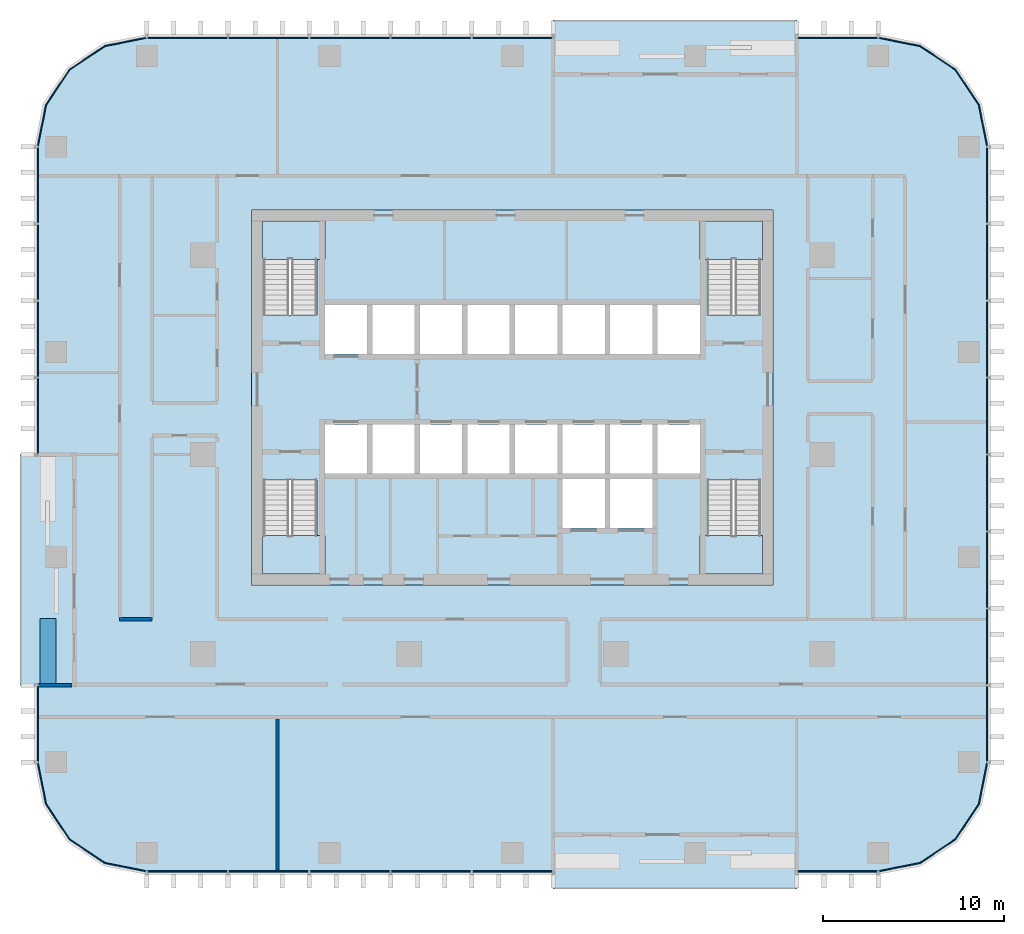
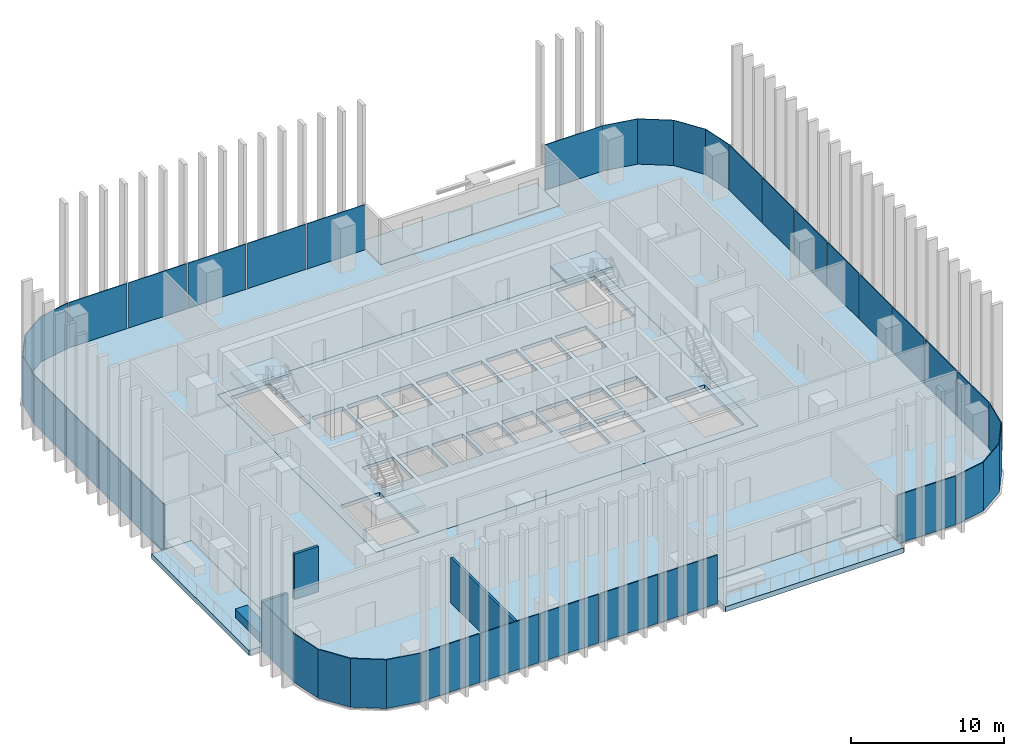
# One storey, part 6 of 16: 29 plates, 9 slabs, 4 walls, 15 elements without a shape of their own.
"""IFC4 building model written with IfcOpenShell, lengths in metres."""

from ifc_helpers import new_model, si_unit, direction, frame, frame_2d, origin, origin_2d, place, context, subcontext, project, spatial, polyline, rectangle, outline, extrude, material, layer, layer_set, type_object, element, aggregate, save


model = new_model("IFC4")

# Units and contexts
model_context = context("Model", 3, precision=1e-05, world=origin(), true_north=direction((0.0, 1.0)))
body_context = subcontext(model_context, "Body", "Model", "MODEL_VIEW")
ifc_project = project(units=[si_unit("LENGTHUNIT", "METRE"), si_unit("AREAUNIT", "SQUARE_METRE"), si_unit("VOLUMEUNIT", "CUBIC_METRE"), si_unit("PLANEANGLEUNIT", "RADIAN"), si_unit("MASSUNIT", "GRAM", prefix="KILO")], contexts=[model_context])

# Site, building, storey
site_placement = place(None, origin())
site = spatial("IfcSite", under=ifc_project, at=site_placement, CompositionType="ELEMENT")
building_placement = place(site_placement, origin())
building = spatial("IfcBuilding", under=site, at=building_placement, Name="Mopane Tessera Tower", CompositionType="ELEMENT")
storey_placement = place(building_placement, frame((0.0, 0.0, 193.0)))
storey = spatial("IfcBuildingStorey", under=building, at=storey_placement, Name="L40", CompositionType="ELEMENT", Elevation=193.0)

# Slab
ifc_material_1 = material(Name="Concrete C40/50", Category="concrete")
ifc_layer_1 = layer(ifc_material_1, 0.300048828125)
ifc_layer_set_1 = layer_set([ifc_layer_1], Name="Concrete C40/50")
slab_type_1 = type_object("IfcSlabType", Name="Core floor slab 300 mm", PredefinedType="FLOOR", material=ifc_layer_set_1)
slab_1_placement = place(storey_placement, frame((0.0, 0.0, -0.300048828125)))
element("IfcSlab", 1, at=slab_1_placement, inside=storey, type_object=slab_type_1, Name="L40 core floor slab", PredefinedType="FLOOR", context=body_context, shape_type="SweptSolid", body=[
    extrude(outline(polyline([(-14.39990234375, -7.199951171875), (14.39990234375, -7.199951171875), (14.39990234375, 13.5), (-14.39990234375, 13.5), (-14.39990234375, -7.199951171875)]), holes=[polyline([(-10.35009765625, -1.050048828125), (-8.02490234375, -1.050048828125), (-8.02490234375, 1.64990234375), (-10.35009765625, 1.64990234375), (-10.35009765625, -1.050048828125)]), polyline([(-7.72509765625, -1.050048828125), (-5.39990234375, -1.050048828125), (-5.39990234375, 1.64990234375), (-7.72509765625, 1.64990234375), (-7.72509765625, -1.050048828125)]), polyline([(-5.10009765625, -1.050048828125), (-2.77490234375, -1.050048828125), (-2.77490234375, 1.64990234375), (-5.10009765625, 1.64990234375), (-5.10009765625, -1.050048828125)]), polyline([(-2.47509765625, -1.050048828125), (-0.14990234375, -1.050048828125), (-0.14990234375, 1.64990234375), (-2.47509765625, 1.64990234375), (-2.47509765625, -1.050048828125)]), polyline([(0.14990234375, -1.050048828125), (2.47509765625, -1.050048828125), (2.47509765625, 1.64990234375), (0.14990234375, 1.64990234375), (0.14990234375, -1.050048828125)]), polyline([(2.77490234375, -1.050048828125), (5.10009765625, -1.050048828125), (5.10009765625, 1.64990234375), (2.77490234375, 1.64990234375), (2.77490234375, -1.050048828125)]), polyline([(5.39990234375, -1.050048828125), (7.72509765625, -1.050048828125), (7.72509765625, 1.64990234375), (5.39990234375, 1.64990234375), (5.39990234375, -1.050048828125)]), polyline([(8.02490234375, -1.050048828125), (10.35009765625, -1.050048828125), (10.35009765625, 1.64990234375), (8.02490234375, 1.64990234375), (8.02490234375, -1.050048828125)]), polyline([(-10.35009765625, 5.550048828125), (-8.02490234375, 5.550048828125), (-8.02490234375, 8.25), (-10.35009765625, 8.25), (-10.35009765625, 5.550048828125)]), polyline([(-7.72509765625, 5.550048828125), (-5.39990234375, 5.550048828125), (-5.39990234375, 8.25), (-7.72509765625, 8.25), (-7.72509765625, 5.550048828125)]), polyline([(-5.10009765625, 5.550048828125), (-2.77490234375, 5.550048828125), (-2.77490234375, 8.25), (-5.10009765625, 8.25), (-5.10009765625, 5.550048828125)]), polyline([(-2.47509765625, 5.550048828125), (-0.14990234375, 5.550048828125), (-0.14990234375, 8.25), (-2.47509765625, 8.25), (-2.47509765625, 5.550048828125)]), polyline([(0.14990234375, 5.550048828125), (2.47509765625, 5.550048828125), (2.47509765625, 8.25), (0.14990234375, 8.25), (0.14990234375, 5.550048828125)]), polyline([(2.77490234375, 5.550048828125), (5.10009765625, 5.550048828125), (5.10009765625, 8.25), (2.77490234375, 8.25), (2.77490234375, 5.550048828125)]), polyline([(5.39990234375, 5.550048828125), (7.72509765625, 5.550048828125), (7.72509765625, 8.25), (5.39990234375, 8.25), (5.39990234375, 5.550048828125)]), polyline([(8.02490234375, 5.550048828125), (10.35009765625, 5.550048828125), (10.35009765625, 8.25), (8.02490234375, 8.25), (8.02490234375, 5.550048828125)]), polyline([(2.77490234375, -4.050048828125), (5.10009765625, -4.050048828125), (5.10009765625, -1.35009765625), (2.77490234375, -1.35009765625), (2.77490234375, -4.050048828125)]), polyline([(5.39990234375, -4.050048828125), (7.72509765625, -4.050048828125), (7.72509765625, -1.35009765625), (5.39990234375, -1.35009765625), (5.39990234375, -4.050048828125)]), polyline([(-13.75, -1.405029296875), (-13.75, -6.60009765625), (-10.800048828125, -6.60009765625), (-10.800048828125, -1.405029296875), (-13.75, -1.405029296875)]), polyline([(-10.800048828125, 7.705078125), (-10.800048828125, 12.89990234375), (-13.75, 12.89990234375), (-13.75, 7.705078125), (-10.800048828125, 7.705078125)]), polyline([(10.75, -1.405029296875), (10.75, -6.60009765625), (13.699951171875, -6.60009765625), (13.699951171875, -1.405029296875), (10.75, -1.405029296875)]), polyline([(13.699951171875, 7.705078125), (13.699951171875, 12.89990234375), (10.75, 12.89990234375), (10.75, 7.705078125), (13.699951171875, 7.705078125)])]), origin(), (0.0, 0.0, 1.0), 0.300048828125),
])

# Stair, slab
ifc_material_2 = material(Name="Concrete C50/60", Category="concrete")
stair_type = type_object("IfcStairType", Name="Escape stair 1400 mm, riser 167 mm", PredefinedType="HALF_TURN_STAIR", material=ifc_material_2)
stair_1_placement = place(storey_placement, origin())
stair_1 = element("IfcStair", 2, at=stair_1_placement, inside=storey, type_object=stair_type, Name="L40 Escape stair south-west", PredefinedType="HALF_TURN_STAIR")
ifc_material_3 = material(Name="Concrete C50/60", Category="concrete")
ifc_layer_2 = layer(ifc_material_3, 0.199951171875)
ifc_layer_set_2 = layer_set([ifc_layer_2], Name="Concrete C50/60")
slab_type_2 = type_object("IfcSlabType", Name="Escape stair landing 200 mm", PredefinedType="LANDING", material=ifc_layer_set_2)
slab_2_placement = place(storey_placement, frame((0.0, 0.0, 1.800048828125)))
slab_2 = element("IfcSlab", 3, at=slab_2_placement, type_object=slab_type_2, Name="ST1 landing 1", PredefinedType="LANDING", context=body_context, shape_type="SweptSolid", body=[
    extrude(outline(polyline([(-13.800048828125, -4.47998046875), (-13.800048828125, -6.60009765625), (-10.35009765625, -6.60009765625), (-10.35009765625, -4.47998046875), (-13.800048828125, -4.47998046875)])), origin(), (0.0, 0.0, 1.0), 0.199951171875),
])
aggregate(stair_1, [slab_2])

stair_2_placement = place(storey_placement, origin())
stair_2 = element("IfcStair", 4, at=stair_2_placement, inside=storey, type_object=stair_type, Name="L40 Escape stair north-west", PredefinedType="HALF_TURN_STAIR")
slab_3_placement = place(storey_placement, frame((0.0, 0.0, 1.800048828125)))
slab_3 = element("IfcSlab", 5, at=slab_3_placement, type_object=slab_type_2, Name="ST2 landing 1", PredefinedType="LANDING", context=body_context, shape_type="SweptSolid", body=[
    extrude(outline(polyline([(-10.35009765625, 10.780029296875), (-10.35009765625, 12.89990234375), (-13.800048828125, 12.89990234375), (-13.800048828125, 10.780029296875), (-10.35009765625, 10.780029296875)])), origin(), (0.0, 0.0, 1.0), 0.199951171875),
])
aggregate(stair_2, [slab_3])

stair_3_placement = place(storey_placement, origin())
stair_3 = element("IfcStair", 6, at=stair_3_placement, inside=storey, type_object=stair_type, Name="L40 Escape stair south-east", PredefinedType="HALF_TURN_STAIR")
slab_4_placement = place(storey_placement, frame((0.0, 0.0, 1.800048828125)))
slab_4 = element("IfcSlab", 7, at=slab_4_placement, type_object=slab_type_2, Name="ST3 landing 1", PredefinedType="LANDING", context=body_context, shape_type="SweptSolid", body=[
    extrude(outline(polyline([(10.35009765625, -4.47998046875), (10.35009765625, -6.60009765625), (13.800048828125, -6.60009765625), (13.800048828125, -4.47998046875), (10.35009765625, -4.47998046875)])), origin(), (0.0, 0.0, 1.0), 0.199951171875),
])
aggregate(stair_3, [slab_4])

stair_4_placement = place(storey_placement, origin())
stair_4 = element("IfcStair", 8, at=stair_4_placement, inside=storey, type_object=stair_type, Name="L40 Escape stair north-east", PredefinedType="HALF_TURN_STAIR")
slab_5_placement = place(storey_placement, frame((0.0, 0.0, 1.800048828125)))
slab_5 = element("IfcSlab", 9, at=slab_5_placement, type_object=slab_type_2, Name="ST4 landing 1", PredefinedType="LANDING", context=body_context, shape_type="SweptSolid", body=[
    extrude(outline(polyline([(13.800048828125, 10.780029296875), (13.800048828125, 12.89990234375), (10.35009765625, 12.89990234375), (10.35009765625, 10.780029296875), (13.800048828125, 10.780029296875)])), origin(), (0.0, 0.0, 1.0), 0.199951171875),
])
aggregate(stair_4, [slab_5])

# Slabs
ifc_material_4 = material(Name="Concrete C40/50", Category="concrete")
ifc_layer_3 = layer(ifc_material_4, 0.39990234375)
ifc_layer_set_3 = layer_set([ifc_layer_3], Name="Concrete C40/50")
slab_type_3 = type_object("IfcSlabType", Name="Planted terrace slab 400 mm", PredefinedType="FLOOR", material=ifc_layer_set_3)
slab_6_placement = place(storey_placement, frame((0.0, 0.0, -0.39990234375)))
element("IfcSlab", 10, at=slab_6_placement, inside=storey, type_object=slab_type_3, Name="Terrace slab N1 L40", PredefinedType="FLOOR", context=body_context, shape_type="SweptSolid", body=[
    extrude(outline(polyline([(-27.199951171875, -12.75), (-24.199951171875, -12.75), (-24.199951171875, 0.0), (-27.199951171875, 0.0), (-27.199951171875, -12.75)])), origin(), (0.0, 0.0, 1.0), 0.39990234375),
])
slab_7_placement = place(storey_placement, frame((0.0, 0.0, -0.39990234375)))
element("IfcSlab", 11, at=slab_7_placement, inside=storey, type_object=slab_type_3, Name="Terrace slab N2 L40", PredefinedType="FLOOR", context=body_context, shape_type="SweptSolid", body=[
    extrude(outline(polyline([(15.711181640625, -24.0), (15.711181640625, -21.0), (2.244384765625, -21.0), (2.244384765625, -24.0), (15.711181640625, -24.0)])), origin(), (0.0, 0.0, 1.0), 0.39990234375),
])
slab_8_placement = place(storey_placement, frame((0.0, 0.0, -0.39990234375)))
element("IfcSlab", 12, at=slab_8_placement, inside=storey, type_object=slab_type_3, Name="Terrace slab N3 L40", PredefinedType="FLOOR", context=body_context, shape_type="SweptSolid", body=[
    extrude(outline(polyline([(2.244384765625, 24.0), (2.244384765625, 21.0), (15.711181640625, 21.0), (15.711181640625, 24.0), (2.244384765625, 24.0)])), origin(), (0.0, 0.0, 1.0), 0.39990234375),
])
ifc_material_5 = material(Name="Concrete C40/50", Category="concrete")
ifc_layer_4 = layer(ifc_material_5, 0.39990234375)
ifc_layer_set_4 = layer_set([ifc_layer_4], Name="Concrete C40/50")
slab_type_4 = type_object("IfcSlabType", Name="Post-tensioned flat plate 400 mm", PredefinedType="FLOOR", material=ifc_layer_set_4)
slab_9_placement = place(storey_placement, frame((0.0, 0.0, -0.39990234375)))
element("IfcSlab", 13, at=slab_9_placement, inside=storey, type_object=slab_type_4, Name="Floor slab L40", PredefinedType="FLOOR", context=body_context, shape_type="SweptSolid", body=[
    extrude(outline(polyline([(-20.199951171875, -23.0), (2.244384765625, -23.0), (2.244384765625, -21.0), (15.711181640625, -21.0), (15.711181640625, -23.0), (20.199951171875, -23.0), (22.49609375, -22.543212890625), (24.442626953125, -21.24267578125), (25.7431640625, -19.296142578125), (26.199951171875, -17.0), (26.199951171875, 17.0), (25.7431640625, 19.296142578125), (24.442626953125, 21.24267578125), (22.49609375, 22.543212890625), (20.199951171875, 23.0), (15.711181640625, 23.0), (15.711181640625, 21.0), (2.244384765625, 21.0), (2.244384765625, 23.0), (-20.199951171875, 23.0), (-22.49609375, 22.543212890625), (-24.442626953125, 21.24267578125), (-25.7431640625, 19.296142578125), (-26.199951171875, 17.0), (-26.199951171875, 0.0), (-24.199951171875, 0.0), (-24.199951171875, -12.75), (-26.199951171875, -12.75), (-26.199951171875, -17.0), (-25.7431640625, -19.296142578125), (-24.442626953125, -21.24267578125), (-22.49609375, -22.543212890625), (-20.199951171875, -23.0)]), holes=[polyline([(14.39990234375, -7.199951171875), (-14.39990234375, -7.199951171875), (-14.39990234375, 13.5), (14.39990234375, 13.5), (14.39990234375, -7.199951171875)])]), origin(), (0.0, 0.0, 1.0), 0.39990234375),
])

# Curtain wall, plates
ifc_material_6 = material(Name="Aluminium frame", Category="aluminium")
curtain_wall_type = type_object("IfcCurtainWallType", Name="Unitised curtain wall", PredefinedType="NOTDEFINED", material=ifc_material_6)
curtain_wall_1_placement = place(storey_placement, origin())
curtain_wall_1 = element("IfcCurtainWall", 14, at=curtain_wall_1_placement, inside=storey, type_object=curtain_wall_type, Name="e:cw:L40:S:0", PredefinedType="NOTDEFINED")
ifc_material_7 = material(Name="Clear laminated glass", Category="glass")
ifc_layer_5 = layer(ifc_material_7, 0.06005859375)
ifc_layer_set_5 = layer_set([ifc_layer_5], Name="Clear laminated glass")
plate_type = type_object("IfcPlateType", Name="Unitised glazed unit", PredefinedType="CURTAIN_PANEL", material=ifc_layer_set_5)
plate_1_placement = place(storey_placement, frame((-17.95556640625, -23.030029296875, -0.280029296875), z_axis=(0.0, 0.0, 1.0), x_axis=(1.0, 0.0, 0.0)))
plate_1 = element("IfcPlate", 15, at=plate_1_placement, type_object=plate_type, Name="e:cw:L40:S:0:pn0", PredefinedType="CURTAIN_PANEL", context=body_context, shape_type="SweptSolid", body=[
    extrude(rectangle(XDim=4.388916015625, YDim=0.06005859375, at=origin_2d()), origin(), (0.0, 0.0, 1.0), 3.8798828125),
])
plate_2_placement = place(storey_placement, frame((-13.466552734375, -23.030029296875, -0.280029296875), z_axis=(0.0, 0.0, 1.0), x_axis=(1.0, 0.0, 0.0)))
plate_2 = element("IfcPlate", 16, at=plate_2_placement, type_object=plate_type, Name="e:cw:L40:S:0:pn1", PredefinedType="CURTAIN_PANEL", context=body_context, shape_type="SweptSolid", body=[
    extrude(rectangle(XDim=4.388916015625, YDim=0.06005859375, at=origin_2d()), origin(), (0.0, 0.0, 1.0), 3.8798828125),
])
plate_3_placement = place(storey_placement, frame((-8.977783203125, -23.030029296875, -0.280029296875), z_axis=(0.0, 0.0, 1.0), x_axis=(1.0, 0.0, 0.0)))
plate_3 = element("IfcPlate", 17, at=plate_3_placement, type_object=plate_type, Name="e:cw:L40:S:0:pn2", PredefinedType="CURTAIN_PANEL", context=body_context, shape_type="SweptSolid", body=[
    extrude(rectangle(XDim=4.388916015625, YDim=0.06005859375, at=origin_2d()), origin(), (0.0, 0.0, 1.0), 3.8798828125),
])
plate_4_placement = place(storey_placement, frame((-4.48876953125, -23.030029296875, -0.280029296875), z_axis=(0.0, 0.0, 1.0), x_axis=(1.0, 0.0, 0.0)))
plate_4 = element("IfcPlate", 18, at=plate_4_placement, type_object=plate_type, Name="e:cw:L40:S:0:pn3", PredefinedType="CURTAIN_PANEL", context=body_context, shape_type="SweptSolid", body=[
    extrude(rectangle(XDim=4.388916015625, YDim=0.06005859375, at=origin_2d()), origin(), (0.0, 0.0, 1.0), 3.8798828125),
])
plate_5_placement = place(storey_placement, frame((0.0, -23.030029296875, -0.280029296875), z_axis=(0.0, 0.0, 1.0), x_axis=(1.0, 0.0, 0.0)))
plate_5 = element("IfcPlate", 19, at=plate_5_placement, type_object=plate_type, Name="e:cw:L40:S:0:pn4", PredefinedType="CURTAIN_PANEL", context=body_context, shape_type="SweptSolid", body=[
    extrude(rectangle(XDim=4.388916015625, YDim=0.06005859375, at=origin_2d()), origin(), (0.0, 0.0, 1.0), 3.8798828125),
])
aggregate(curtain_wall_1, [plate_1, plate_2, plate_3, plate_4, plate_5])

# Curtain wall, plate
curtain_wall_2_placement = place(storey_placement, origin())
curtain_wall_2 = element("IfcCurtainWall", 20, at=curtain_wall_2_placement, inside=storey, type_object=curtain_wall_type, Name="e:cw:L40:S:8", PredefinedType="NOTDEFINED")
plate_6_placement = place(storey_placement, frame((17.95556640625, -23.030029296875, -0.280029296875), z_axis=(0.0, 0.0, 1.0), x_axis=(1.0, 0.0, 0.0)))
plate_6 = element("IfcPlate", 21, at=plate_6_placement, type_object=plate_type, Name="e:cw:L40:S:8:pn8", PredefinedType="CURTAIN_PANEL", context=body_context, shape_type="SweptSolid", body=[
    extrude(rectangle(XDim=4.388916015625, YDim=0.06005859375, at=origin_2d()), origin(), (0.0, 0.0, 1.0), 3.8798828125),
])
aggregate(curtain_wall_2, [plate_6])

curtain_wall_3_placement = place(storey_placement, origin())
curtain_wall_3 = element("IfcCurtainWall", 22, at=curtain_wall_3_placement, inside=storey, type_object=curtain_wall_type, Name="e:cw:L40:CS", PredefinedType="NOTDEFINED")
plate_7_placement = place(storey_placement, frame((0.0, 0.0, -0.280029296875)))
plate_7 = element("IfcPlate", 23, at=plate_7_placement, type_object=plate_type, Name="e:cw:L40:CS:pn", PredefinedType="CURTAIN_PANEL", context=body_context, shape_type="SweptSolid", body=[
    extrude(outline(polyline([(20.199951171875, -23.0), (22.49609375, -22.543212890625), (24.442626953125, -21.24267578125), (25.7431640625, -19.296142578125), (26.199951171875, -17.0), (26.260009765625, -17.0), (25.798828125, -19.319091796875), (24.485107421875, -21.28515625), (22.51904296875, -22.5986328125), (20.199951171875, -23.06005859375), (20.199951171875, -23.0)])), origin(), (0.0, 0.0, 1.0), 3.880126953125),
])
aggregate(curtain_wall_3, [plate_7])

# Curtain wall, plates
curtain_wall_4_placement = place(storey_placement, origin())
curtain_wall_4 = element("IfcCurtainWall", 24, at=curtain_wall_4_placement, inside=storey, type_object=curtain_wall_type, Name="e:cw:L40:E:0", PredefinedType="NOTDEFINED")
plate_8_placement = place(storey_placement, frame((26.22998046875, -14.875, -0.280029296875), z_axis=(0.0, 0.0, 1.0), x_axis=(0.0, 1.0, 0.0)))
plate_8 = element("IfcPlate", 25, at=plate_8_placement, type_object=plate_type, Name="e:cw:L40:E:0:pn0", PredefinedType="CURTAIN_PANEL", context=body_context, shape_type="SweptSolid", body=[
    extrude(rectangle(XDim=4.14990234375, YDim=0.06005859375, at=origin_2d()), origin(), (0.0, 0.0, 1.0), 3.8798828125),
])
plate_9_placement = place(storey_placement, frame((26.22998046875, -10.625, -0.280029296875), z_axis=(0.0, 0.0, 1.0), x_axis=(0.0, 1.0, 0.0)))
plate_9 = element("IfcPlate", 26, at=plate_9_placement, type_object=plate_type, Name="e:cw:L40:E:0:pn1", PredefinedType="CURTAIN_PANEL", context=body_context, shape_type="SweptSolid", body=[
    extrude(rectangle(XDim=4.14990234375, YDim=0.06005859375, at=origin_2d()), origin(), (0.0, 0.0, 1.0), 3.8798828125),
])
plate_10_placement = place(storey_placement, frame((26.22998046875, -6.375, -0.280029296875), z_axis=(0.0, 0.0, 1.0), x_axis=(0.0, 1.0, 0.0)))
plate_10 = element("IfcPlate", 27, at=plate_10_placement, type_object=plate_type, Name="e:cw:L40:E:0:pn2", PredefinedType="CURTAIN_PANEL", context=body_context, shape_type="SweptSolid", body=[
    extrude(rectangle(XDim=4.14990234375, YDim=0.06005859375, at=origin_2d()), origin(), (0.0, 0.0, 1.0), 3.8798828125),
])
plate_11_placement = place(storey_placement, frame((26.22998046875, -2.125, -0.280029296875), z_axis=(0.0, 0.0, 1.0), x_axis=(0.0, 1.0, 0.0)))
plate_11 = element("IfcPlate", 28, at=plate_11_placement, type_object=plate_type, Name="e:cw:L40:E:0:pn3", PredefinedType="CURTAIN_PANEL", context=body_context, shape_type="SweptSolid", body=[
    extrude(rectangle(XDim=4.14990234375, YDim=0.06005859375, at=origin_2d()), origin(), (0.0, 0.0, 1.0), 3.8798828125),
])
plate_12_placement = place(storey_placement, frame((26.22998046875, 2.125, -0.280029296875), z_axis=(0.0, 0.0, 1.0), x_axis=(0.0, 1.0, 0.0)))
plate_12 = element("IfcPlate", 29, at=plate_12_placement, type_object=plate_type, Name="e:cw:L40:E:0:pn4", PredefinedType="CURTAIN_PANEL", context=body_context, shape_type="SweptSolid", body=[
    extrude(rectangle(XDim=4.14990234375, YDim=0.06005859375, at=origin_2d()), origin(), (0.0, 0.0, 1.0), 3.8798828125),
])
plate_13_placement = place(storey_placement, frame((26.22998046875, 6.375, -0.280029296875), z_axis=(0.0, 0.0, 1.0), x_axis=(0.0, 1.0, 0.0)))
plate_13 = element("IfcPlate", 30, at=plate_13_placement, type_object=plate_type, Name="e:cw:L40:E:0:pn5", PredefinedType="CURTAIN_PANEL", context=body_context, shape_type="SweptSolid", body=[
    extrude(rectangle(XDim=4.14990234375, YDim=0.06005859375, at=origin_2d()), origin(), (0.0, 0.0, 1.0), 3.8798828125),
])
plate_14_placement = place(storey_placement, frame((26.22998046875, 10.625, -0.280029296875), z_axis=(0.0, 0.0, 1.0), x_axis=(0.0, 1.0, 0.0)))
plate_14 = element("IfcPlate", 31, at=plate_14_placement, type_object=plate_type, Name="e:cw:L40:E:0:pn6", PredefinedType="CURTAIN_PANEL", context=body_context, shape_type="SweptSolid", body=[
    extrude(rectangle(XDim=4.14990234375, YDim=0.06005859375, at=origin_2d()), origin(), (0.0, 0.0, 1.0), 3.8798828125),
])
plate_15_placement = place(storey_placement, frame((26.22998046875, 14.875, -0.280029296875), z_axis=(0.0, 0.0, 1.0), x_axis=(0.0, 1.0, 0.0)))
plate_15 = element("IfcPlate", 32, at=plate_15_placement, type_object=plate_type, Name="e:cw:L40:E:0:pn7", PredefinedType="CURTAIN_PANEL", context=body_context, shape_type="SweptSolid", body=[
    extrude(rectangle(XDim=4.14990234375, YDim=0.06005859375, at=origin_2d()), origin(), (0.0, 0.0, 1.0), 3.8798828125),
])
aggregate(curtain_wall_4, [plate_8, plate_9, plate_10, plate_11, plate_12, plate_13, plate_14, plate_15])

# Curtain wall, plate
curtain_wall_5_placement = place(storey_placement, origin())
curtain_wall_5 = element("IfcCurtainWall", 33, at=curtain_wall_5_placement, inside=storey, type_object=curtain_wall_type, Name="e:cw:L40:CE", PredefinedType="NOTDEFINED")
plate_16_placement = place(storey_placement, frame((0.0, 0.0, -0.280029296875)))
plate_16 = element("IfcPlate", 34, at=plate_16_placement, type_object=plate_type, Name="e:cw:L40:CE:pn", PredefinedType="CURTAIN_PANEL", context=body_context, shape_type="SweptSolid", body=[
    extrude(outline(polyline([(26.199951171875, 17.0), (25.7431640625, 19.296142578125), (24.442626953125, 21.24267578125), (22.49609375, 22.543212890625), (20.199951171875, 23.0), (20.199951171875, 23.06005859375), (22.51904296875, 22.5986328125), (24.485107421875, 21.28515625), (25.798828125, 19.319091796875), (26.260009765625, 17.0), (26.199951171875, 17.0)])), origin(), (0.0, 0.0, 1.0), 3.880126953125),
])
aggregate(curtain_wall_5, [plate_16])

curtain_wall_6_placement = place(storey_placement, origin())
curtain_wall_6 = element("IfcCurtainWall", 35, at=curtain_wall_6_placement, inside=storey, type_object=curtain_wall_type, Name="e:cw:L40:N:0", PredefinedType="NOTDEFINED")
plate_17_placement = place(storey_placement, frame((17.95556640625, 23.030029296875, -0.280029296875), z_axis=(0.0, 0.0, 1.0), x_axis=(-1.0, 0.0, 0.0)))
plate_17 = element("IfcPlate", 36, at=plate_17_placement, type_object=plate_type, Name="e:cw:L40:N:0:pn0", PredefinedType="CURTAIN_PANEL", context=body_context, shape_type="SweptSolid", body=[
    extrude(rectangle(XDim=4.388916015625, YDim=0.06005859375, at=origin_2d()), origin(), (0.0, 0.0, 1.0), 3.8798828125),
])
aggregate(curtain_wall_6, [plate_17])

# Curtain wall, plates
curtain_wall_7_placement = place(storey_placement, origin())
curtain_wall_7 = element("IfcCurtainWall", 37, at=curtain_wall_7_placement, inside=storey, type_object=curtain_wall_type, Name="e:cw:L40:N:4", PredefinedType="NOTDEFINED")
plate_18_placement = place(storey_placement, frame((0.0, 23.030029296875, -0.280029296875), z_axis=(0.0, 0.0, 1.0), x_axis=(-1.0, 0.0, 0.0)))
plate_18 = element("IfcPlate", 38, at=plate_18_placement, type_object=plate_type, Name="e:cw:L40:N:4:pn4", PredefinedType="CURTAIN_PANEL", context=body_context, shape_type="SweptSolid", body=[
    extrude(rectangle(XDim=4.388916015625, YDim=0.06005859375, at=origin_2d()), origin(), (0.0, 0.0, 1.0), 3.8798828125),
])
plate_19_placement = place(storey_placement, frame((-4.48876953125, 23.030029296875, -0.280029296875), z_axis=(0.0, 0.0, 1.0), x_axis=(-1.0, 0.0, 0.0)))
plate_19 = element("IfcPlate", 39, at=plate_19_placement, type_object=plate_type, Name="e:cw:L40:N:4:pn5", PredefinedType="CURTAIN_PANEL", context=body_context, shape_type="SweptSolid", body=[
    extrude(rectangle(XDim=4.388916015625, YDim=0.06005859375, at=origin_2d()), origin(), (0.0, 0.0, 1.0), 3.8798828125),
])
plate_20_placement = place(storey_placement, frame((-8.977783203125, 23.030029296875, -0.280029296875), z_axis=(0.0, 0.0, 1.0), x_axis=(-1.0, 0.0, 0.0)))
plate_20 = element("IfcPlate", 40, at=plate_20_placement, type_object=plate_type, Name="e:cw:L40:N:4:pn6", PredefinedType="CURTAIN_PANEL", context=body_context, shape_type="SweptSolid", body=[
    extrude(rectangle(XDim=4.388916015625, YDim=0.06005859375, at=origin_2d()), origin(), (0.0, 0.0, 1.0), 3.8798828125),
])
plate_21_placement = place(storey_placement, frame((-13.466552734375, 23.030029296875, -0.280029296875), z_axis=(0.0, 0.0, 1.0), x_axis=(-1.0, 0.0, 0.0)))
plate_21 = element("IfcPlate", 41, at=plate_21_placement, type_object=plate_type, Name="e:cw:L40:N:4:pn7", PredefinedType="CURTAIN_PANEL", context=body_context, shape_type="SweptSolid", body=[
    extrude(rectangle(XDim=4.388916015625, YDim=0.06005859375, at=origin_2d()), origin(), (0.0, 0.0, 1.0), 3.8798828125),
])
plate_22_placement = place(storey_placement, frame((-17.95556640625, 23.030029296875, -0.280029296875), z_axis=(0.0, 0.0, 1.0), x_axis=(-1.0, 0.0, 0.0)))
plate_22 = element("IfcPlate", 42, at=plate_22_placement, type_object=plate_type, Name="e:cw:L40:N:4:pn8", PredefinedType="CURTAIN_PANEL", context=body_context, shape_type="SweptSolid", body=[
    extrude(rectangle(XDim=4.388916015625, YDim=0.06005859375, at=origin_2d()), origin(), (0.0, 0.0, 1.0), 3.8798828125),
])
aggregate(curtain_wall_7, [plate_18, plate_19, plate_20, plate_21, plate_22])

# Curtain wall, plate
curtain_wall_8_placement = place(storey_placement, origin())
curtain_wall_8 = element("IfcCurtainWall", 43, at=curtain_wall_8_placement, inside=storey, type_object=curtain_wall_type, Name="e:cw:L40:CN", PredefinedType="NOTDEFINED")
plate_23_placement = place(storey_placement, frame((0.0, 0.0, -0.280029296875)))
plate_23 = element("IfcPlate", 44, at=plate_23_placement, type_object=plate_type, Name="e:cw:L40:CN:pn", PredefinedType="CURTAIN_PANEL", context=body_context, shape_type="SweptSolid", body=[
    extrude(outline(polyline([(-20.199951171875, 23.0), (-22.49609375, 22.543212890625), (-24.442626953125, 21.24267578125), (-25.7431640625, 19.296142578125), (-26.199951171875, 17.0), (-26.260009765625, 17.0), (-25.798828125, 19.319091796875), (-24.485107421875, 21.28515625), (-22.51904296875, 22.5986328125), (-20.199951171875, 23.06005859375), (-20.199951171875, 23.0)])), origin(), (0.0, 0.0, 1.0), 3.880126953125),
])
aggregate(curtain_wall_8, [plate_23])

# Curtain wall, plates
curtain_wall_9_placement = place(storey_placement, origin())
curtain_wall_9 = element("IfcCurtainWall", 45, at=curtain_wall_9_placement, inside=storey, type_object=curtain_wall_type, Name="e:cw:L40:W:0", PredefinedType="NOTDEFINED")
plate_24_placement = place(storey_placement, frame((-26.22998046875, 14.875, -0.280029296875), z_axis=(0.0, 0.0, 1.0), x_axis=(0.0, -1.0, 0.0)))
plate_24 = element("IfcPlate", 46, at=plate_24_placement, type_object=plate_type, Name="e:cw:L40:W:0:pn0", PredefinedType="CURTAIN_PANEL", context=body_context, shape_type="SweptSolid", body=[
    extrude(rectangle(XDim=4.14990234375, YDim=0.06005859375, at=origin_2d()), origin(), (0.0, 0.0, 1.0), 3.8798828125),
])
plate_25_placement = place(storey_placement, frame((-26.22998046875, 10.625, -0.280029296875), z_axis=(0.0, 0.0, 1.0), x_axis=(0.0, -1.0, 0.0)))
plate_25 = element("IfcPlate", 47, at=plate_25_placement, type_object=plate_type, Name="e:cw:L40:W:0:pn1", PredefinedType="CURTAIN_PANEL", context=body_context, shape_type="SweptSolid", body=[
    extrude(rectangle(XDim=4.14990234375, YDim=0.06005859375, at=origin_2d()), origin(), (0.0, 0.0, 1.0), 3.8798828125),
])
plate_26_placement = place(storey_placement, frame((-26.22998046875, 6.375, -0.280029296875), z_axis=(0.0, 0.0, 1.0), x_axis=(0.0, -1.0, 0.0)))
plate_26 = element("IfcPlate", 48, at=plate_26_placement, type_object=plate_type, Name="e:cw:L40:W:0:pn2", PredefinedType="CURTAIN_PANEL", context=body_context, shape_type="SweptSolid", body=[
    extrude(rectangle(XDim=4.14990234375, YDim=0.06005859375, at=origin_2d()), origin(), (0.0, 0.0, 1.0), 3.8798828125),
])
plate_27_placement = place(storey_placement, frame((-26.22998046875, 2.125, -0.280029296875), z_axis=(0.0, 0.0, 1.0), x_axis=(0.0, -1.0, 0.0)))
plate_27 = element("IfcPlate", 49, at=plate_27_placement, type_object=plate_type, Name="e:cw:L40:W:0:pn3", PredefinedType="CURTAIN_PANEL", context=body_context, shape_type="SweptSolid", body=[
    extrude(rectangle(XDim=4.14990234375, YDim=0.06005859375, at=origin_2d()), origin(), (0.0, 0.0, 1.0), 3.8798828125),
])
aggregate(curtain_wall_9, [plate_24, plate_25, plate_26, plate_27])

# Curtain wall, plate
curtain_wall_10_placement = place(storey_placement, origin())
curtain_wall_10 = element("IfcCurtainWall", 50, at=curtain_wall_10_placement, inside=storey, type_object=curtain_wall_type, Name="e:cw:L40:W:7", PredefinedType="NOTDEFINED")
plate_28_placement = place(storey_placement, frame((-26.22998046875, -14.875, -0.280029296875), z_axis=(0.0, 0.0, 1.0), x_axis=(0.0, -1.0, 0.0)))
plate_28 = element("IfcPlate", 51, at=plate_28_placement, type_object=plate_type, Name="e:cw:L40:W:7:pn7", PredefinedType="CURTAIN_PANEL", context=body_context, shape_type="SweptSolid", body=[
    extrude(rectangle(XDim=4.14990234375, YDim=0.06005859375, at=origin_2d()), origin(), (0.0, 0.0, 1.0), 3.8798828125),
])
aggregate(curtain_wall_10, [plate_28])

curtain_wall_11_placement = place(storey_placement, origin())
curtain_wall_11 = element("IfcCurtainWall", 52, at=curtain_wall_11_placement, inside=storey, type_object=curtain_wall_type, Name="e:cw:L40:CW", PredefinedType="NOTDEFINED")
plate_29_placement = place(storey_placement, frame((0.0, 0.0, -0.280029296875)))
plate_29 = element("IfcPlate", 53, at=plate_29_placement, type_object=plate_type, Name="e:cw:L40:CW:pn", PredefinedType="CURTAIN_PANEL", context=body_context, shape_type="SweptSolid", body=[
    extrude(outline(polyline([(-26.199951171875, -17.0), (-25.7431640625, -19.296142578125), (-24.442626953125, -21.24267578125), (-22.49609375, -22.543212890625), (-20.199951171875, -23.0), (-20.199951171875, -23.06005859375), (-22.51904296875, -22.5986328125), (-24.485107421875, -21.28515625), (-25.798828125, -19.319091796875), (-26.260009765625, -17.0), (-26.199951171875, -17.0)])), origin(), (0.0, 0.0, 1.0), 3.880126953125),
])
aggregate(curtain_wall_11, [plate_29])

# Walls
ifc_material_8 = material(Name="Gypsum board on staggered steel studs, double layer each face, acoustic mineral wool infill", Category="steel")
ifc_layer_6 = layer(ifc_material_8, 0.175048828125)
ifc_layer_set_6 = layer_set([ifc_layer_6], Name="Gypsum board on staggered steel studs, double layer each face, acoustic mineral wool infill")
wall_type_1 = type_object("IfcWallType", Name="Gypsum board acoustic partition 175, rated EI 60", PredefinedType="PARTITIONING", material=ifc_layer_set_6)
wall_1_placement = place(storey_placement, frame((-12.97509765625, -22.949951171875, 0.0), z_axis=(0.0, 0.0, 1.0), x_axis=(0.0, 1.0, 0.0)))
element("IfcWall", 54, at=wall_1_placement, inside=storey, type_object=wall_type_1, Name="Partition L40:034", PredefinedType="PARTITIONING", context=body_context, shape_type="SweptSolid", body=[
    extrude(rectangle(XDim=8.349853515625, YDim=0.175048828125, at=frame_2d((4.1748046875, 0.0))), origin(), (0.0, 0.0, 1.0), 3.60009765625),
])
ifc_material_9 = material(Name="Gypsum board on steel studs, two layers each face, mineral wool infill", Category="steel")
ifc_layer_7 = layer(ifc_material_9, 0.199951171875)
ifc_layer_set_7 = layer_set([ifc_layer_7], Name="Gypsum board on steel studs, two layers each face, mineral wool infill")
wall_type_2 = type_object("IfcWallType", Name="Gypsum board corridor wall 200, rated EI 60", PredefinedType="PARTITIONING", material=ifc_layer_set_7)
wall_2_placement = place(storey_placement, frame((-21.699951171875, -9.10009765625, 0.0), z_axis=(0.0, 0.0, 1.0), x_axis=(1.0, 0.0, 0.0)))
element("IfcWall", 55, at=wall_2_placement, inside=storey, type_object=wall_type_2, Name="Partition L40:006", PredefinedType="PARTITIONING", context=body_context, shape_type="SweptSolid", body=[
    extrude(rectangle(XDim=1.800048828125, YDim=0.199951171875, at=frame_2d((0.89990234375, 0.0))), origin(), (0.0, 0.0, 1.0), 3.60009765625),
])
ifc_material_10 = material(Name="Reinforced concrete C32/40 with waterproofing", Category="concrete")
ifc_layer_8 = layer(ifc_material_10, 0.89990234375)
ifc_layer_set_8 = layer_set([ifc_layer_8], Name="Reinforced concrete C32/40 with waterproofing")
wall_type_3 = type_object("IfcWallType", Name="Planter trough 3600 x 900", PredefinedType="STANDARD", material=ifc_layer_set_8)
wall_3_placement = place(storey_placement, frame((-25.64990234375, -9.050048828125, 0.0), z_axis=(0.0, 0.0, 1.0), x_axis=(0.0, -1.0, 0.0)))
element("IfcWall", 56, at=wall_3_placement, inside=storey, type_object=wall_type_3, Name="e:nw:L40:N1:pl1", PredefinedType="STANDARD", context=body_context, shape_type="SweptSolid", body=[
    extrude(rectangle(XDim=3.599853515625, YDim=0.89990234375, at=frame_2d((1.7998046875, 0.0))), origin(), (0.0, 0.0, 1.0), 0.699951171875),
])
ifc_material_11 = material(Name="Blockwork with glazed tile facing", Category="masonry")
ifc_layer_9 = layer(ifc_material_11, 0.199951171875)
ifc_layer_set_9 = layer_set([ifc_layer_9], Name="Blockwork with glazed tile facing")
wall_type_4 = type_object("IfcWallType", Name="Terrace cheek wall 200", PredefinedType="STANDARD", material=ifc_layer_set_9)
wall_4_placement = place(storey_placement, frame((-26.199951171875, -12.75, 0.0), z_axis=(0.0, 0.0, 1.0), x_axis=(1.0, 0.0, 0.0)))
element("IfcWall", 57, at=wall_4_placement, inside=storey, type_object=wall_type_4, Name="e:nw:L40:N1:cheekb", PredefinedType="STANDARD", context=body_context, shape_type="SweptSolid", body=[
    extrude(rectangle(XDim=1.875, YDim=0.199951171875, at=frame_2d((0.9375, 0.0))), origin(), (0.0, 0.0, 1.0), 3.60009765625),
])

save(model, "model.ifc")
